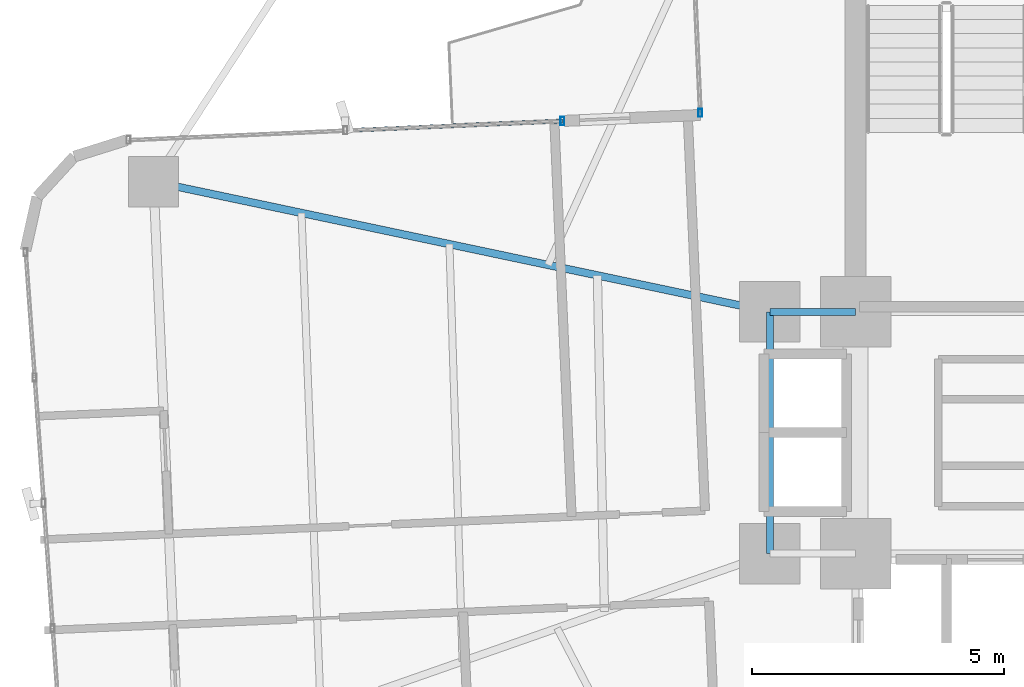
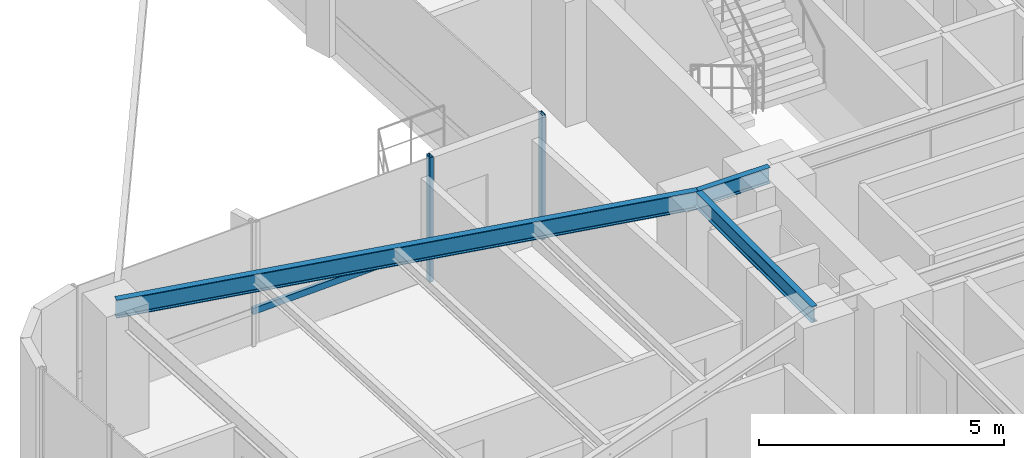
# One storey, part 10 of 26: 3 beams, 3 members, 2 elements without a shape of their own.
"""IFC4 building model written with IfcOpenShell, lengths in metres."""

from ifc_helpers import new_model, si_unit, direction, frame, origin, origin_2d, place, context, subcontext, project, spatial, hollow_rectangle, i_section, extrude, source, transform, mapped, material, material_profile, profile_set, type_object, element, aggregate, save


model = new_model("IFC4")

# Units and contexts
model_context = context("Model", 3, precision=1e-05, world=origin(), true_north=direction((0.0, 1.0)))
body_context = subcontext(model_context, "Body", "Model", "MODEL_VIEW")
ifc_project = project(units=[si_unit("LENGTHUNIT", "METRE"), si_unit("AREAUNIT", "SQUARE_METRE"), si_unit("VOLUMEUNIT", "CUBIC_METRE"), si_unit("PLANEANGLEUNIT", "RADIAN"), si_unit("MASSUNIT", "GRAM", prefix="KILO")], contexts=[model_context])

# Site, building, storey
site_placement = place(None, origin())
site = spatial("IfcSite", under=ifc_project, at=site_placement, CompositionType="ELEMENT")
building_placement = place(site_placement, origin())
building = spatial("IfcBuilding", under=site, at=building_placement, Name="Sahyath Konkavel Grand Hotel", CompositionType="ELEMENT")
storey_placement = place(building_placement, frame((0.0, 0.0, 124.85009765625)))
storey = spatial("IfcBuildingStorey", under=building, at=storey_placement, Name="L34", CompositionType="ELEMENT", Elevation=124.85009765625)

# Beams
ifc_material_1 = material(Name="Steel E350", Category="steel")
ifc_material_profile_1 = material_profile(ifc_material_1, i_section(OverallWidth=0.139892578125, OverallDepth=0.39990234375, WebThickness=0.0087890625, FlangeThickness=0.01611328125, FilletRadius=0.013916015625, at=origin_2d()), Name="ISMB 400")
ifc_profile_set_1 = profile_set([ifc_material_profile_1], Name="Steel E350")
beam_type_1 = type_object("IfcBeamType", Name="BM-ISMB400", PredefinedType="BEAM", material=ifc_profile_set_1)
shared_shape_1 = source(origin(), body_context, "Body", "SweptSolid", [
    extrude(i_section(OverallWidth=0.139892578125, OverallDepth=0.39990234375, WebThickness=0.0087890625, FlangeThickness=0.01611328125, FilletRadius=0.013916015625, at=origin_2d()), origin(), (0.0, 0.0, 1.0), 1.699951171875),
])
beam_1_placement = place(storey_placement, frame((-5.5, 2.39990234375, 2.909912109375), z_axis=(1.0, 0.0, 0.0), x_axis=(0.0, 1.0, 0.0)))
element("IfcBeam", 1, at=beam_1_placement, inside=storey, type_object=beam_type_1, Name="str:bm:L34:HB-NW", PredefinedType="BEAM", context=body_context, shape_type="MappedRepresentation", body=[
    mapped(shared_shape_1, transform((0.0, 0.0, 0.0), scale=1.0)),
])
shared_shape_2 = source(origin(), body_context, "Body", "SweptSolid", [
    extrude(i_section(OverallWidth=0.139892578125, OverallDepth=0.39990234375, WebThickness=0.0087890625, FlangeThickness=0.01611328125, FilletRadius=0.013916015625, at=origin_2d()), origin(), (0.0, 0.0, 1.0), 4.7998046875),
])
beam_2_placement = place(storey_placement, frame((-5.5, -2.39990234375, 2.909912109375), z_axis=(0.0, 1.0, 0.0), x_axis=(-1.0, 0.0, 0.0)))
element("IfcBeam", 2, at=beam_2_placement, inside=storey, type_object=beam_type_1, Name="str:bm:L34:HB-W", PredefinedType="BEAM", context=body_context, shape_type="MappedRepresentation", body=[
    mapped(shared_shape_2, transform((0.0, 0.0, 0.0), scale=1.0)),
])
ifc_material_profile_2 = material_profile(ifc_material_1, i_section(OverallWidth=0.14990234375, OverallDepth=0.449951171875, WebThickness=0.009521484375, FlangeThickness=0.017333984375, FilletRadius=0.014892578125, at=origin_2d()), Name="ISMB 450")
ifc_profile_set_2 = profile_set([ifc_material_profile_2], Name="Steel E350")
beam_type_2 = type_object("IfcBeamType", Name="BM-ISMB450", PredefinedType="BEAM", material=ifc_profile_set_2)
shared_shape_3 = source(origin(), body_context, "Body", "SweptSolid", [
    extrude(i_section(OverallWidth=0.14990234375, OverallDepth=0.449951171875, WebThickness=0.009521484375, FlangeThickness=0.017333984375, FilletRadius=0.014892578125, at=origin_2d()), origin(), (0.0, 0.0, 1.0), 12.50341796875),
])
beam_3_placement = place(storey_placement, frame((-5.5, 2.39990234375, 2.885009765625), z_axis=(-0.978457911392, 0.206446398937, 0.0), x_axis=(-0.206446398937, -0.978457911392, 0.0)))
element("IfcBeam", 3, at=beam_3_placement, inside=storey, type_object=beam_type_2, Name="L34 Cruciform Radial Girder WA", PredefinedType="BEAM", context=body_context, shape_type="MappedRepresentation", body=[
    mapped(shared_shape_3, transform((0.0, 0.0, 0.0), scale=1.0)),
])

# Curtain wall, member
ifc_material_2 = material(Name="Anodised Bronze Aluminium & Low-E Glazing", Category="aluminium")
curtain_wall_type = type_object("IfcCurtainWallType", Name="CW-ZONE2", PredefinedType="NOTDEFINED", material=ifc_material_2)
curtain_wall_1_placement = place(storey_placement, origin())
curtain_wall_1 = element("IfcCurtainWall", 4, at=curtain_wall_1_placement, inside=storey, type_object=curtain_wall_type, Name="L34 Unitised Curtain Wall F15", PredefinedType="NOTDEFINED")
ifc_material_3 = material(Name="Anodised Bronze Aluminium", Category="aluminium")
ifc_material_profile_3 = material_profile(ifc_material_3, hollow_rectangle(XDim=0.080078125, YDim=0.159912109375, WallThickness=0.006103515625, at=origin_2d()), Name="RHS 160x80x6")
ifc_profile_set_3 = profile_set([ifc_material_profile_3], Name="Anodised Bronze Aluminium")
member_type_1 = type_object("IfcMemberType", Name="CW-MUL-160", PredefinedType="MULLION", material=ifc_profile_set_3)
shared_shape_4 = source(origin(), body_context, "Body", "SweptSolid", [
    extrude(hollow_rectangle(XDim=0.080078125, YDim=0.159912109375, WallThickness=0.006103515625, at=origin_2d()), origin(), (0.0, 0.0, 1.0), 3.10986328125),
])
member_1_placement = place(storey_placement, frame((-6.88330078125, 6.345703125, 0.0), z_axis=(0.0, 0.0, 1.0), x_axis=(1.0, 0.0, 0.0)))
member_1 = element("IfcMember", 5, at=member_1_placement, type_object=member_type_1, Name="L34 Curtain Wall Mullion F15-2", PredefinedType="MULLION", context=body_context, shape_type="MappedRepresentation", body=[
    mapped(shared_shape_4, transform((0.0, 0.0, 0.0), scale=1.0)),
])
aggregate(curtain_wall_1, [member_1])

# Curtain wall, members
curtain_wall_2_placement = place(storey_placement, origin())
curtain_wall_2 = element("IfcCurtainWall", 6, at=curtain_wall_2_placement, inside=storey, type_object=curtain_wall_type, Name="L34 Unitised Curtain Wall F16", PredefinedType="NOTDEFINED")
member_2_placement = place(storey_placement, frame((-9.618896484375, 6.186279296875, 0.0), z_axis=(0.0, 0.0, 1.0), x_axis=(1.0, 0.0, 0.0)))
member_2 = element("IfcMember", 7, at=member_2_placement, type_object=member_type_1, Name="L34 Curtain Wall Mullion F16-0", PredefinedType="MULLION", context=body_context, shape_type="MappedRepresentation", body=[
    mapped(shared_shape_4, transform((0.0, 0.0, 0.0), scale=1.0)),
])
ifc_material_profile_4 = material_profile(ifc_material_3, hollow_rectangle(XDim=0.080078125, YDim=0.159912109375, WallThickness=0.006103515625, at=origin_2d()), Name="RHS 160x80x6")
ifc_profile_set_4 = profile_set([ifc_material_profile_4], Name="Anodised Bronze Aluminium")
member_type_2 = type_object("IfcMemberType", Name="CW-TRN-160", PredefinedType="USERDEFINED", material=ifc_profile_set_4)
shared_shape_5 = source(origin(), body_context, "Body", "SweptSolid", [
    extrude(hollow_rectangle(XDim=0.080078125, YDim=0.159912109375, WallThickness=0.006103515625, at=origin_2d()), origin(), (0.0, 0.0, 1.0), 4.31005859375),
])
member_3_placement = place(storey_placement, frame((-9.618896484375, 6.186279296875, 0.849853515625), z_axis=(-0.999048340188, -0.043616670746, 0.0), x_axis=(0.043616670746, -0.999048340188, 0.0)))
member_3 = element("IfcMember", 8, at=member_3_placement, type_object=member_type_2, Name="L34 Curtain Wall Transom F16-0-spandrel", ObjectType="TRANSOM", PredefinedType="USERDEFINED", context=body_context, shape_type="MappedRepresentation", body=[
    mapped(shared_shape_5, transform((0.0, 0.0, 0.0), scale=1.0)),
])
aggregate(curtain_wall_2, [member_2, member_3])

save(model, "model.ifc")
